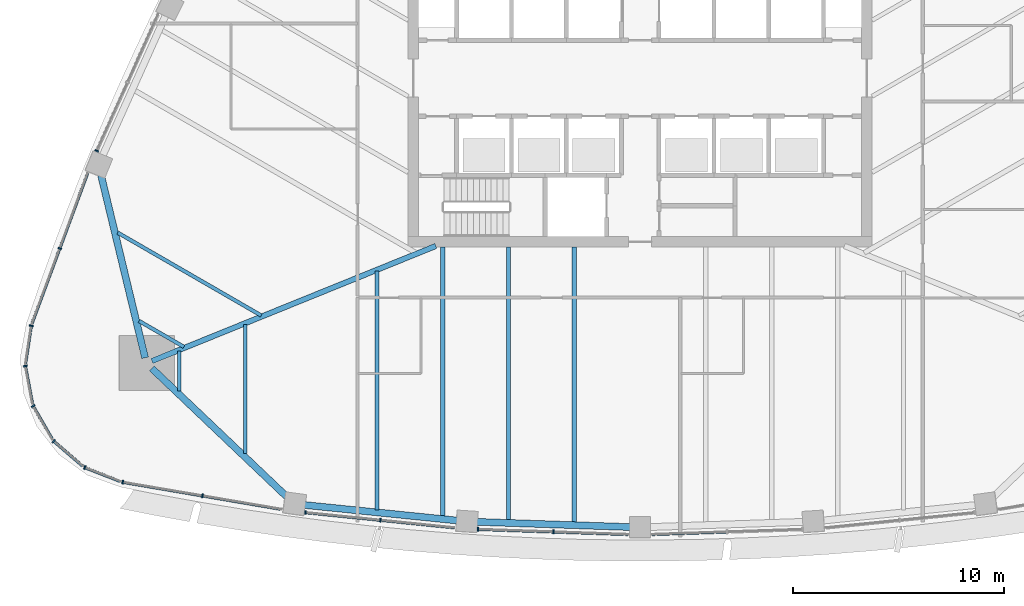
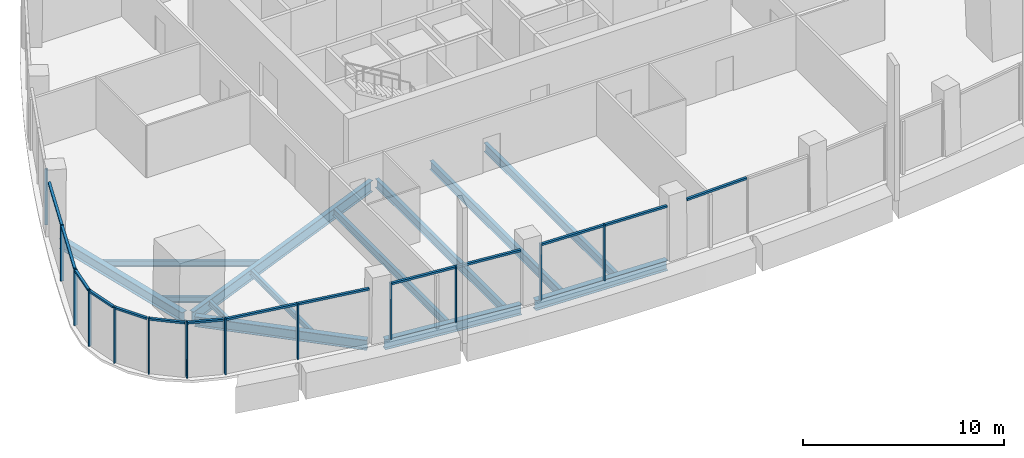
# One storey, part 2 of 19: 27 members, 13 beams, 11 elements without a shape of their own.
"""IFC4 building model written with IfcOpenShell, lengths in metres."""

from ifc_helpers import new_model, si_unit, direction, frame, origin, origin_2d, place, context, subcontext, project, spatial, rectangle, i_section, extrude, material, layer, layer_set, material_profile, profile_set, type_object, element, aggregate, save


model = new_model("IFC4")

# Units and contexts
model_context = context("Model", 3, precision=1e-05, world=origin(), true_north=direction((0.0, 1.0)))
body_context = subcontext(model_context, "Body", "Model", "MODEL_VIEW")
ifc_project = project(units=[si_unit("LENGTHUNIT", "METRE"), si_unit("AREAUNIT", "SQUARE_METRE"), si_unit("VOLUMEUNIT", "CUBIC_METRE"), si_unit("PLANEANGLEUNIT", "RADIAN"), si_unit("MASSUNIT", "GRAM", prefix="KILO")], contexts=[model_context])

# Site, building, storey
site_placement = place(None, origin())
site = spatial("IfcSite", under=ifc_project, at=site_placement, CompositionType="ELEMENT")
building_placement = place(site_placement, origin())
building = spatial("IfcBuilding", under=site, at=building_placement, Name="Sierra Prisma Convention Tower", CompositionType="ELEMENT")
storey_placement = place(building_placement, frame((0.0, 0.0, 185.800048828125)))
storey = spatial("IfcBuildingStorey", under=building, at=storey_placement, Name="L41", CompositionType="ELEMENT", Elevation=185.800048828125)

# Curtain wall, members
ifc_material_1 = material(Name="Aluminium and glass curtain wall", Category="aluminium")
ifc_layer = layer(ifc_material_1, 0.179931640625)
ifc_layer_set = layer_set([ifc_layer], Name="CW-1 Plain shaft curtain wall")
curtain_wall_type = type_object("IfcCurtainWallType", Name="CW-1 Plain shaft curtain wall", PredefinedType="NOTDEFINED", material=ifc_layer_set)
curtain_wall_1_placement = place(storey_placement, origin())
curtain_wall_1 = element("IfcCurtainWall", 1, at=curtain_wall_1_placement, inside=storey, type_object=curtain_wall_type, Name="CW-1 S1 L41", PredefinedType="NOTDEFINED")
ifc_material_2 = material(Name="Aluminium 6063-T6 bronze anodised", Category="aluminium")
ifc_material_profile_1 = material_profile(ifc_material_2, rectangle(XDim=0.179931640625, YDim=0.070068359375, at=origin_2d()), Name="ALU MULLION 70x180")
ifc_profile_set_1 = profile_set([ifc_material_profile_1], Name="Aluminium 6063-T6 bronze anodised")
member_type_1 = type_object("IfcMemberType", Name="CW mullion bronze", PredefinedType="MULLION", material=ifc_profile_set_1)
member_1_placement = place(storey_placement, frame((-24.535400390625, -19.154296875, 0.0), z_axis=(0.0, 0.0, 1.0), x_axis=(0.168312666002, 0.985733658989, 0.0)))
member_1 = element("IfcMember", 2, at=member_1_placement, type_object=member_type_1, Name="CW-1 mullion S1.1", PredefinedType="MULLION", context=body_context, shape_type="SweptSolid", body=[
    extrude(rectangle(XDim=0.179931640625, YDim=0.070068359375, at=origin_2d()), origin(), (0.0, 0.0, 1.0), 3.39990234375),
])
member_2_placement = place(storey_placement, frame((-20.752685546875, -19.800048828125, 0.0), z_axis=(0.0, 0.0, 1.0), x_axis=(0.168312666002, 0.985733658989, 0.0)))
member_2 = element("IfcMember", 3, at=member_2_placement, type_object=member_type_1, Name="CW-1 mullion S1.2", PredefinedType="MULLION", context=body_context, shape_type="SweptSolid", body=[
    extrude(rectangle(XDim=0.179931640625, YDim=0.070068359375, at=origin_2d()), origin(), (0.0, 0.0, 1.0), 3.39990234375),
])

curtain_wall_2_placement = place(storey_placement, origin())
curtain_wall_2 = element("IfcCurtainWall", 4, at=curtain_wall_2_placement, inside=storey, type_object=curtain_wall_type, Name="CW-1 S2 L41", PredefinedType="NOTDEFINED")
member_3_placement = place(storey_placement, frame((-15.865966796875, -20.5947265625, 0.0), z_axis=(0.0, 0.0, 1.0), x_axis=(0.101296559457, 0.994856274565, 0.0)))
member_3 = element("IfcMember", 5, at=member_3_placement, type_object=member_type_1, Name="CW-1 mullion S2.1", PredefinedType="MULLION", context=body_context, shape_type="SweptSolid", body=[
    extrude(rectangle(XDim=0.179931640625, YDim=0.070068359375, at=origin_2d()), origin(), (0.0, 0.0, 1.0), 3.39990234375),
])
member_4_placement = place(storey_placement, frame((-12.3193359375, -20.955810546875, 0.0), z_axis=(0.0, 0.0, 1.0), x_axis=(0.101296559457, 0.994856274565, 0.0)))
member_4 = element("IfcMember", 6, at=member_4_placement, type_object=member_type_1, Name="CW-1 mullion S2.2", PredefinedType="MULLION", context=body_context, shape_type="SweptSolid", body=[
    extrude(rectangle(XDim=0.179931640625, YDim=0.070068359375, at=origin_2d()), origin(), (0.0, 0.0, 1.0), 3.39990234375),
])

curtain_wall_3_placement = place(storey_placement, origin())
curtain_wall_3 = element("IfcCurtainWall", 7, at=curtain_wall_3_placement, inside=storey, type_object=curtain_wall_type, Name="CW-1 S3 L41", PredefinedType="NOTDEFINED")
member_5_placement = place(storey_placement, frame((-7.69287109375, -21.3896484375, 0.0), z_axis=(0.0, 0.0, 1.0), x_axis=(0.03381708389, 0.999428038849, 0.0)))
member_5 = element("IfcMember", 8, at=member_5_placement, type_object=member_type_1, Name="CW-1 mullion S3.1", PredefinedType="MULLION", context=body_context, shape_type="SweptSolid", body=[
    extrude(rectangle(XDim=0.179931640625, YDim=0.070068359375, at=origin_2d()), origin(), (0.0, 0.0, 1.0), 3.39990234375),
])
member_6_placement = place(storey_placement, frame((-4.11376953125, -21.5107421875, 0.0), z_axis=(0.0, 0.0, 1.0), x_axis=(0.03381708389, 0.999428038849, 0.0)))
member_6 = element("IfcMember", 9, at=member_6_placement, type_object=member_type_1, Name="CW-1 mullion S3.2", PredefinedType="MULLION", context=body_context, shape_type="SweptSolid", body=[
    extrude(rectangle(XDim=0.179931640625, YDim=0.070068359375, at=origin_2d()), origin(), (0.0, 0.0, 1.0), 3.39990234375),
])

# Curtain wall, member
curtain_wall_4_placement = place(storey_placement, origin())
curtain_wall_4 = element("IfcCurtainWall", 10, at=curtain_wall_4_placement, inside=storey, type_object=curtain_wall_type, Name="CW-1 NW5 L41", PredefinedType="NOTDEFINED")
member_7_placement = place(storey_placement, frame((-25.7685546875, -3.443115234375, 0.0), z_axis=(0.0, 0.0, 1.0), x_axis=(0.912219086617, -0.409702743477, 0.0)))
member_7 = element("IfcMember", 11, at=member_7_placement, type_object=member_type_1, Name="CW-1 mullion NW5.3", PredefinedType="MULLION", context=body_context, shape_type="SweptSolid", body=[
    extrude(rectangle(XDim=0.179931640625, YDim=0.070068359375, at=origin_2d()), origin(), (0.0, 0.0, 1.0), 3.39990234375),
])
aggregate(curtain_wall_4, [member_7])

curtain_wall_5_placement = place(storey_placement, origin())
curtain_wall_5 = element("IfcCurtainWall", 12, at=curtain_wall_5_placement, inside=storey, type_object=curtain_wall_type, Name="CW-1 NW6 L41", PredefinedType="NOTDEFINED")
member_8_placement = place(storey_placement, frame((-27.523681640625, -8.072265625, 0.0), z_axis=(0.0, 0.0, 1.0), x_axis=(0.937826723051, -0.347103784958, 0.0)))
member_8 = element("IfcMember", 13, at=member_8_placement, type_object=member_type_1, Name="CW-1 mullion NW6.2", PredefinedType="MULLION", context=body_context, shape_type="SweptSolid", body=[
    extrude(rectangle(XDim=0.179931640625, YDim=0.070068359375, at=origin_2d()), origin(), (0.0, 0.0, 1.0), 3.39990234375),
])

curtain_wall_6_placement = place(storey_placement, origin())
curtain_wall_6 = element("IfcCurtainWall", 14, at=curtain_wall_6_placement, inside=storey, type_object=curtain_wall_type, Name="CW-1 SW1 L41", PredefinedType="NOTDEFINED")
member_9_placement = place(storey_placement, frame((-28.873046875, -11.738525390625, 0.0), z_axis=(0.0, 0.0, 1.0), x_axis=(0.988499533685, -0.151223913134, 0.0)))
member_9 = element("IfcMember", 15, at=member_9_placement, type_object=member_type_1, Name="CW-1 mullion SW1.1", PredefinedType="MULLION", context=body_context, shape_type="SweptSolid", body=[
    extrude(rectangle(XDim=0.179931640625, YDim=0.070068359375, at=origin_2d()), origin(), (0.0, 0.0, 1.0), 3.39990234375),
])

curtain_wall_7_placement = place(storey_placement, origin())
curtain_wall_7 = element("IfcCurtainWall", 16, at=curtain_wall_7_placement, inside=storey, type_object=curtain_wall_type, Name="CW-1 SW2 L41", PredefinedType="NOTDEFINED")
member_10_placement = place(storey_placement, frame((-29.153564453125, -13.648681640625, 0.0), z_axis=(0.0, 0.0, 1.0), x_axis=(0.982770996817, 0.184827400069, 0.0)))
member_10 = element("IfcMember", 17, at=member_10_placement, type_object=member_type_1, Name="CW-1 mullion SW2.1", PredefinedType="MULLION", context=body_context, shape_type="SweptSolid", body=[
    extrude(rectangle(XDim=0.179931640625, YDim=0.070068359375, at=origin_2d()), origin(), (0.0, 0.0, 1.0), 3.39990234375),
])

curtain_wall_8_placement = place(storey_placement, origin())
curtain_wall_8 = element("IfcCurtainWall", 18, at=curtain_wall_8_placement, inside=storey, type_object=curtain_wall_type, Name="CW-1 SW3 L41", PredefinedType="NOTDEFINED")
member_11_placement = place(storey_placement, frame((-28.785400390625, -15.5439453125, 0.0), z_axis=(0.0, 0.0, 1.0), x_axis=(0.866025403784, 0.5, 0.0)))
member_11 = element("IfcMember", 19, at=member_11_placement, type_object=member_type_1, Name="CW-1 mullion SW3.1", PredefinedType="MULLION", context=body_context, shape_type="SweptSolid", body=[
    extrude(rectangle(XDim=0.179931640625, YDim=0.070068359375, at=origin_2d()), origin(), (0.0, 0.0, 1.0), 3.39990234375),
])

curtain_wall_9_placement = place(storey_placement, origin())
curtain_wall_9 = element("IfcCurtainWall", 20, at=curtain_wall_9_placement, inside=storey, type_object=curtain_wall_type, Name="CW-1 SW4 L41", PredefinedType="NOTDEFINED")
member_12_placement = place(storey_placement, frame((-27.81005859375, -17.2099609375, 0.0), z_axis=(0.0, 0.0, 1.0), x_axis=(0.651450722183, 0.758690949311, 0.0)))
member_12 = element("IfcMember", 21, at=member_12_placement, type_object=member_type_1, Name="CW-1 mullion SW4.1", PredefinedType="MULLION", context=body_context, shape_type="SweptSolid", body=[
    extrude(rectangle(XDim=0.179931640625, YDim=0.070068359375, at=origin_2d()), origin(), (0.0, 0.0, 1.0), 3.39990234375),
])

curtain_wall_10_placement = place(storey_placement, origin())
curtain_wall_10 = element("IfcCurtainWall", 22, at=curtain_wall_10_placement, inside=storey, type_object=curtain_wall_type, Name="CW-1 SW5 L41", PredefinedType="NOTDEFINED")
member_13_placement = place(storey_placement, frame((-26.337646484375, -18.458984375, 0.0), z_axis=(0.0, 0.0, 1.0), x_axis=(0.363286016409, 0.931677664368, 0.0)))
member_13 = element("IfcMember", 23, at=member_13_placement, type_object=member_type_1, Name="CW-1 mullion SW5.1", PredefinedType="MULLION", context=body_context, shape_type="SweptSolid", body=[
    extrude(rectangle(XDim=0.179931640625, YDim=0.070068359375, at=origin_2d()), origin(), (0.0, 0.0, 1.0), 3.39990234375),
])

# Member
ifc_material_3 = material(Name="Aluminium 6063-T6 bronze anodised", Category="aluminium")
ifc_material_profile_2 = material_profile(ifc_material_3, rectangle(XDim=0.139892578125, YDim=0.1201171875, at=origin_2d()), Name="ALU TRANSOM 120x140")
ifc_profile_set_2 = profile_set([ifc_material_profile_2], Name="Aluminium 6063-T6 bronze anodised")
member_type_2 = type_object("IfcMemberType", Name="CW transom bronze", PredefinedType="USERDEFINED", material=ifc_profile_set_2)
member_14_placement = place(storey_placement, frame((-24.500732421875, -19.16015625, 3.33984375), z_axis=(0.98573642551, -0.168296462892, 0.0), x_axis=(0.168296462892, 0.98573642551, 0.0)))
member_14 = element("IfcMember", 24, at=member_14_placement, type_object=member_type_2, Name="CW-1 transom S1.1", ObjectType="TRANSOM", PredefinedType="USERDEFINED", context=body_context, shape_type="SweptSolid", body=[
    extrude(rectangle(XDim=0.139892578125, YDim=0.1201171875, at=origin_2d()), origin(), (0.0, 0.0, 1.0), 3.767333984375),
])

member_15_placement = place(storey_placement, frame((-20.71826171875, -19.805908203125, 3.33984375), z_axis=(0.985727509537, -0.168348676688, 0.0), x_axis=(0.168348676688, 0.985727509537, 0.0)))
member_15 = element("IfcMember", 25, at=member_15_placement, type_object=member_type_2, Name="CW-1 transom S1.2", ObjectType="TRANSOM", PredefinedType="USERDEFINED", context=body_context, shape_type="SweptSolid", body=[
    extrude(rectangle(XDim=0.139892578125, YDim=0.1201171875, at=origin_2d()), origin(), (0.0, 0.0, 1.0), 3.767578125),
])

aggregate(curtain_wall_1, [member_1, member_2, member_14, member_15])

member_16_placement = place(storey_placement, frame((-15.831298828125, -20.59814453125, 3.33984375), z_axis=(0.994850828195, -0.101350035225, 0.0), x_axis=(0.101350035225, 0.994850828195, 0.0)))
member_16 = element("IfcMember", 26, at=member_16_placement, type_object=member_type_2, Name="CW-1 transom S2.1", ObjectType="TRANSOM", PredefinedType="USERDEFINED", context=body_context, shape_type="SweptSolid", body=[
    extrude(rectangle(XDim=0.139892578125, YDim=0.1201171875, at=origin_2d()), origin(), (0.0, 0.0, 1.0), 3.495361328125),
])

member_17_placement = place(storey_placement, frame((-12.284423828125, -20.95947265625, 3.33984375), z_axis=(0.994857868529, -0.101280903557, 0.0), x_axis=(0.101280903557, 0.994857868529, 0.0)))
member_17 = element("IfcMember", 27, at=member_17_placement, type_object=member_type_2, Name="CW-1 transom S2.2", ObjectType="TRANSOM", PredefinedType="USERDEFINED", context=body_context, shape_type="SweptSolid", body=[
    extrude(rectangle(XDim=0.139892578125, YDim=0.1201171875, at=origin_2d()), origin(), (0.0, 0.0, 1.0), 3.495361328125),
])

aggregate(curtain_wall_2, [member_3, member_4, member_16, member_17])

member_18_placement = place(storey_placement, frame((-7.657958984375, -21.390869140625, 3.33984375), z_axis=(0.999428816734, -0.033794086477, 0.0), x_axis=(0.033794086477, 0.999428816734, 0.0)))
member_18 = element("IfcMember", 28, at=member_18_placement, type_object=member_type_2, Name="CW-1 transom S3.1", ObjectType="TRANSOM", PredefinedType="USERDEFINED", context=body_context, shape_type="SweptSolid", body=[
    extrude(rectangle(XDim=0.139892578125, YDim=0.1201171875, at=origin_2d()), origin(), (0.0, 0.0, 1.0), 3.510986328125),
])

member_19_placement = place(storey_placement, frame((-4.078857421875, -21.511962890625, 3.33984375), z_axis=(0.999428896138, -0.033791738105, 0.0), x_axis=(0.033791738105, 0.999428896138, 0.0)))
member_19 = element("IfcMember", 29, at=member_19_placement, type_object=member_type_2, Name="CW-1 transom S3.2", ObjectType="TRANSOM", PredefinedType="USERDEFINED", context=body_context, shape_type="SweptSolid", body=[
    extrude(rectangle(XDim=0.139892578125, YDim=0.1201171875, at=origin_2d()), origin(), (0.0, 0.0, 1.0), 3.51123046875),
])

aggregate(curtain_wall_3, [member_5, member_6, member_18, member_19])

# Curtain wall, member
curtain_wall_11_placement = place(storey_placement, origin())
curtain_wall_11 = element("IfcCurtainWall", 30, at=curtain_wall_11_placement, inside=storey, type_object=curtain_wall_type, Name="CW-1 S4 L41", PredefinedType="NOTDEFINED")
member_20_placement = place(storey_placement, frame((0.569580078125, -21.630615234375, 3.33984375), z_axis=(0.999428896138, 0.033791738105, 0.0), x_axis=(-0.033791738105, 0.999428896138, 0.0)))
member_20 = element("IfcMember", 31, at=member_20_placement, type_object=member_type_2, Name="CW-1 transom S4.1", ObjectType="TRANSOM", PredefinedType="USERDEFINED", context=body_context, shape_type="SweptSolid", body=[
    extrude(rectangle(XDim=0.139892578125, YDim=0.1201171875, at=origin_2d()), origin(), (0.0, 0.0, 1.0), 3.51123046875),
])
aggregate(curtain_wall_11, [member_20])

# Member
member_21_placement = place(storey_placement, frame((-26.203857421875, -4.50634765625, 3.33984375), z_axis=(-0.34708640059, -0.937833157084, 0.0), x_axis=(0.937833157084, -0.34708640059, 0.0)))
member_21 = element("IfcMember", 32, at=member_21_placement, type_object=member_type_2, Name="CW-1 transom NW6.1", ObjectType="TRANSOM", PredefinedType="USERDEFINED", context=body_context, shape_type="SweptSolid", body=[
    extrude(rectangle(XDim=0.139892578125, YDim=0.1201171875, at=origin_2d()), origin(), (0.0, 0.0, 1.0), 3.767333984375),
])

member_22_placement = place(storey_placement, frame((-27.535888671875, -8.105224609375, 3.33984375), z_axis=(-0.347107495846, -0.937825349587, 0.0), x_axis=(0.937825349587, -0.347107495846, 0.0)))
member_22 = element("IfcMember", 33, at=member_22_placement, type_object=member_type_2, Name="CW-1 transom NW6.2", ObjectType="TRANSOM", PredefinedType="USERDEFINED", context=body_context, shape_type="SweptSolid", body=[
    extrude(rectangle(XDim=0.139892578125, YDim=0.1201171875, at=origin_2d()), origin(), (0.0, 0.0, 1.0), 3.76708984375),
])

aggregate(curtain_wall_5, [member_8, member_21, member_22])

member_23_placement = place(storey_placement, frame((-28.87841796875, -11.773193359375, 3.33984375), z_axis=(-0.151176970585, -0.98850671397, 0.0), x_axis=(0.98850671397, -0.151176970585, 0.0)))
member_23 = element("IfcMember", 34, at=member_23_placement, type_object=member_type_2, Name="CW-1 transom SW1.1", ObjectType="TRANSOM", PredefinedType="USERDEFINED", context=body_context, shape_type="SweptSolid", body=[
    extrude(rectangle(XDim=0.139892578125, YDim=0.1201171875, at=origin_2d()), origin(), (0.0, 0.0, 1.0), 1.79248046875),
])

aggregate(curtain_wall_6, [member_9, member_23])

member_24_placement = place(storey_placement, frame((-29.147216796875, -13.68310546875, 3.33984375), z_axis=(0.184814781449, -0.982773369886, 0.0), x_axis=(0.982773369886, 0.184814781449, 0.0)))
member_24 = element("IfcMember", 35, at=member_24_placement, type_object=member_type_2, Name="CW-1 transom SW2.1", ObjectType="TRANSOM", PredefinedType="USERDEFINED", context=body_context, shape_type="SweptSolid", body=[
    extrude(rectangle(XDim=0.139892578125, YDim=0.1201171875, at=origin_2d()), origin(), (0.0, 0.0, 1.0), 1.79248046875),
])

aggregate(curtain_wall_7, [member_10, member_24])

member_25_placement = place(storey_placement, frame((-28.767822265625, -15.57421875, 3.33984375), z_axis=(0.499962169188, -0.866047244312, 0.0), x_axis=(0.866047244312, 0.499962169188, 0.0)))
member_25 = element("IfcMember", 36, at=member_25_placement, type_object=member_type_2, Name="CW-1 transom SW3.1", ObjectType="TRANSOM", PredefinedType="USERDEFINED", context=body_context, shape_type="SweptSolid", body=[
    extrude(rectangle(XDim=0.139892578125, YDim=0.1201171875, at=origin_2d()), origin(), (0.0, 0.0, 1.0), 1.792724609375),
])

aggregate(curtain_wall_8, [member_11, member_25])

member_26_placement = place(storey_placement, frame((-27.783447265625, -17.23291015625, 3.33984375), z_axis=(0.758669805195, -0.651475346184, 0.0), x_axis=(0.651475346184, 0.758669805195, 0.0)))
member_26 = element("IfcMember", 37, at=member_26_placement, type_object=member_type_2, Name="CW-1 transom SW4.1", ObjectType="TRANSOM", PredefinedType="USERDEFINED", context=body_context, shape_type="SweptSolid", body=[
    extrude(rectangle(XDim=0.139892578125, YDim=0.1201171875, at=origin_2d()), origin(), (0.0, 0.0, 1.0), 1.79248046875),
])

aggregate(curtain_wall_9, [member_12, member_26])

member_27_placement = place(storey_placement, frame((-26.30517578125, -18.4716796875, 3.33984375), z_axis=(0.931700189919, -0.363228242437, 0.0), x_axis=(0.363228242437, 0.931700189919, 0.0)))
member_27 = element("IfcMember", 38, at=member_27_placement, type_object=member_type_2, Name="CW-1 transom SW5.1", ObjectType="TRANSOM", PredefinedType="USERDEFINED", context=body_context, shape_type="SweptSolid", body=[
    extrude(rectangle(XDim=0.139892578125, YDim=0.1201171875, at=origin_2d()), origin(), (0.0, 0.0, 1.0), 1.79248046875),
])

aggregate(curtain_wall_10, [member_13, member_27])

# Beams
ifc_material_4 = material(Name="Steel ASTM A992 Gr 50", Category="steel")
ifc_material_profile_3 = material_profile(ifc_material_4, i_section(OverallWidth=0.172119140625, OverallDepth=0.35791015625, WebThickness=0.0078125, FlangeThickness=0.01318359375, at=origin_2d()), Name="W360x57")
ifc_profile_set_3 = profile_set([ifc_material_profile_3], Name="Steel ASTM A992 Gr 50")
beam_type_1 = type_object("IfcBeamType", Name="Floor joist W360x57", PredefinedType="JOIST", material=ifc_profile_set_3)
beam_1_placement = place(storey_placement, frame((-21.85009765625, -14.826416015625, -0.3291015625), z_axis=(0.0, 1.0, 0.0), x_axis=(-1.0, 0.0, 0.0)))
element("IfcBeam", 39, at=beam_1_placement, inside=storey, type_object=beam_type_1, Name="Floor joist L41 S01", PredefinedType="JOIST", context=body_context, shape_type="SweptSolid", body=[
    extrude(i_section(OverallWidth=0.172119140625, OverallDepth=0.35791015625, WebThickness=0.0078125, FlangeThickness=0.01318359375, at=origin_2d()), origin(), (0.0, 0.0, 1.0), 1.887939453125),
])
beam_2_placement = place(storey_placement, frame((-18.728759765625, -17.795654296875, -0.3291015625), z_axis=(0.0, 1.0, 0.0), x_axis=(-1.0, 0.0, 0.0)))
element("IfcBeam", 40, at=beam_2_placement, inside=storey, type_object=beam_type_1, Name="Floor joist L41 S02", PredefinedType="JOIST", context=body_context, shape_type="SweptSolid", body=[
    extrude(i_section(OverallWidth=0.172119140625, OverallDepth=0.35791015625, WebThickness=0.0078125, FlangeThickness=0.01318359375, at=origin_2d()), origin(), (0.0, 0.0, 1.0), 6.1220703125),
])
beam_3_placement = place(storey_placement, frame((-24.77587890625, -7.32177734375, -0.3291015625), z_axis=(0.866032059375, -0.499988472001, 0.0), x_axis=(0.499988472001, 0.866032059375, 0.0)))
element("IfcBeam", 41, at=beam_3_placement, inside=storey, type_object=beam_type_1, Name="Floor joist L41 NW14", PredefinedType="JOIST", context=body_context, shape_type="SweptSolid", body=[
    extrude(i_section(OverallWidth=0.172119140625, OverallDepth=0.35791015625, WebThickness=0.0078125, FlangeThickness=0.01318359375, at=origin_2d()), origin(), (0.0, 0.0, 1.0), 7.864990234375),
])
beam_4_placement = place(storey_placement, frame((-23.76513671875, -11.509521484375, -0.3291015625), z_axis=(0.86603204091, -0.499988503985, 0.0), x_axis=(0.499988503985, 0.86603204091, 0.0)))
element("IfcBeam", 42, at=beam_4_placement, inside=storey, type_object=beam_type_1, Name="Floor joist L41 NW15", PredefinedType="JOIST", context=body_context, shape_type="SweptSolid", body=[
    extrude(i_section(OverallWidth=0.172119140625, OverallDepth=0.35791015625, WebThickness=0.0078125, FlangeThickness=0.01318359375, at=origin_2d()), origin(), (0.0, 0.0, 1.0), 2.46240234375),
])
ifc_material_5 = material(Name="Steel ASTM A992 Gr 50", Category="steel")
ifc_material_profile_4 = material_profile(ifc_material_5, i_section(OverallWidth=0.18994140625, OverallDepth=0.45703125, WebThickness=0.009033203125, FlangeThickness=0.014404296875, at=origin_2d()), Name="W460x74")
ifc_profile_set_4 = profile_set([ifc_material_profile_4], Name="Steel ASTM A992 Gr 50")
beam_type_2 = type_object("IfcBeamType", Name="Floor joist W460x74", PredefinedType="JOIST", material=ifc_profile_set_4)
beam_5_placement = place(storey_placement, frame((-12.48583984375, -20.473876953125, -0.378662109375), z_axis=(0.0, 1.0, 0.0), x_axis=(-1.0, 0.0, 0.0)))
element("IfcBeam", 43, at=beam_5_placement, inside=storey, type_object=beam_type_2, Name="Floor joist L41 S04", PredefinedType="JOIST", context=body_context, shape_type="SweptSolid", body=[
    extrude(i_section(OverallWidth=0.18994140625, OverallDepth=0.45703125, WebThickness=0.009033203125, FlangeThickness=0.014404296875, at=origin_2d()), origin(), (0.0, 0.0, 1.0), 11.33056640625),
])
ifc_material_6 = material(Name="Steel ASTM A992 Gr 50", Category="steel")
ifc_material_profile_5 = material_profile(ifc_material_6, i_section(OverallWidth=0.208984375, OverallDepth=0.532958984375, WebThickness=0.01025390625, FlangeThickness=0.015625, at=origin_2d()), Name="W530x92")
ifc_profile_set_5 = profile_set([ifc_material_profile_5], Name="Steel ASTM A992 Gr 50")
beam_type_3 = type_object("IfcBeamType", Name="Floor joist W530x92", PredefinedType="JOIST", material=ifc_profile_set_5)
beam_6_placement = place(storey_placement, frame((-9.3642578125, -20.791748046875, -0.41650390625), z_axis=(0.0, 1.0, 0.0), x_axis=(-1.0, 0.0, 0.0)))
element("IfcBeam", 44, at=beam_6_placement, inside=storey, type_object=beam_type_3, Name="Floor joist L41 S05", PredefinedType="JOIST", context=body_context, shape_type="SweptSolid", body=[
    extrude(i_section(OverallWidth=0.208984375, OverallDepth=0.532958984375, WebThickness=0.01025390625, FlangeThickness=0.015625, at=origin_2d()), origin(), (0.0, 0.0, 1.0), 12.791748046875),
])
beam_7_placement = place(storey_placement, frame((-6.242919921875, -20.97607421875, -0.41650390625), z_axis=(0.0, 1.0, 0.0), x_axis=(-1.0, 0.0, 0.0)))
element("IfcBeam", 45, at=beam_7_placement, inside=storey, type_object=beam_type_3, Name="Floor joist L41 S06", PredefinedType="JOIST", context=body_context, shape_type="SweptSolid", body=[
    extrude(i_section(OverallWidth=0.208984375, OverallDepth=0.532958984375, WebThickness=0.01025390625, FlangeThickness=0.015625, at=origin_2d()), origin(), (0.0, 0.0, 1.0), 12.97607421875),
])
beam_8_placement = place(storey_placement, frame((-3.121337890625, -21.081787109375, -0.41650390625), z_axis=(0.0, 1.0, 0.0), x_axis=(-1.0, 0.0, 0.0)))
element("IfcBeam", 46, at=beam_8_placement, inside=storey, type_object=beam_type_3, Name="Floor joist L41 S07", PredefinedType="JOIST", context=body_context, shape_type="SweptSolid", body=[
    extrude(i_section(OverallWidth=0.208984375, OverallDepth=0.532958984375, WebThickness=0.01025390625, FlangeThickness=0.015625, at=origin_2d()), origin(), (0.0, 0.0, 1.0), 13.081787109375),
])
ifc_material_7 = material(Name="Steel ASTM A992 Gr 50", Category="steel")
ifc_material_profile_6 = material_profile(ifc_material_7, i_section(OverallWidth=0.25390625, OverallDepth=0.68408203125, WebThickness=0.012451171875, FlangeThickness=0.018798828125, at=origin_2d()), Name="W690x140")
ifc_profile_set_6 = profile_set([ifc_material_profile_6], Name="Steel ASTM A992 Gr 50")
beam_type_4 = type_object("IfcBeamType", Name="Radial girder W690x140", PredefinedType="BEAM", material=ifc_profile_set_6)
beam_9_placement = place(storey_placement, frame((-23.15087890625, -13.410888671875, -0.491943359375), z_axis=(0.926777064375, 0.375611864759, 0.0), x_axis=(-0.375611864759, 0.926777064375, 0.0)))
element("IfcBeam", 47, at=beam_9_placement, inside=storey, type_object=beam_type_4, Name="Radial girder L41 SW", PredefinedType="BEAM", context=body_context, shape_type="SweptSolid", body=[
    extrude(i_section(OverallWidth=0.25390625, OverallDepth=0.68408203125, WebThickness=0.012451171875, FlangeThickness=0.018798828125, at=origin_2d()), origin(), (0.0, 0.0, 1.0), 14.52587890625),
])
ifc_material_8 = material(Name="Steel ASTM A992 Gr 50", Category="steel")
ifc_material_profile_7 = material_profile(ifc_material_8, i_section(OverallWidth=0.324951171875, OverallDepth=0.615966796875, WebThickness=0.013916015625, FlangeThickness=0.021484375, at=origin_2d()), Name="W610x174")
ifc_profile_set_7 = profile_set([ifc_material_profile_7], Name="Steel ASTM A992 Gr 50")
beam_type_5 = type_object("IfcBeamType", Name="Spandrel beam W610x174", PredefinedType="BEAM", material=ifc_profile_set_7)
beam_10_placement = place(storey_placement, frame((-23.15087890625, -13.763671875, -0.4580078125), z_axis=(0.7245870332, -0.689183307487, 0.0), x_axis=(0.689183307487, 0.7245870332, 0.0)))
element("IfcBeam", 48, at=beam_10_placement, inside=storey, type_object=beam_type_5, Name="Spandrel L41-01", PredefinedType="BEAM", context=body_context, shape_type="SweptSolid", body=[
    extrude(i_section(OverallWidth=0.324951171875, OverallDepth=0.615966796875, WebThickness=0.013916015625, FlangeThickness=0.021484375, at=origin_2d()), origin(), (0.0, 0.0, 1.0), 8.82666015625),
])
beam_11_placement = place(storey_placement, frame((-16.01708984375, -20.227783203125, -0.4580078125), z_axis=(0.994858057198, -0.101279050294, 0.0), x_axis=(0.101279050294, 0.994858057198, 0.0)))
element("IfcBeam", 49, at=beam_11_placement, inside=storey, type_object=beam_type_5, Name="Spandrel L41-02", PredefinedType="BEAM", context=body_context, shape_type="SweptSolid", body=[
    extrude(i_section(OverallWidth=0.324951171875, OverallDepth=0.615966796875, WebThickness=0.013916015625, FlangeThickness=0.021484375, at=origin_2d()), origin(), (0.0, 0.0, 1.0), 7.460693359375),
])
beam_12_placement = place(storey_placement, frame((-7.83642578125, -21.034912109375, -0.4580078125), z_axis=(0.999428479642, -0.033804054205, 0.0), x_axis=(0.033804054205, 0.999428479642, 0.0)))
element("IfcBeam", 50, at=beam_12_placement, inside=storey, type_object=beam_type_5, Name="Spandrel L41-03", PredefinedType="BEAM", context=body_context, shape_type="SweptSolid", body=[
    extrude(i_section(OverallWidth=0.324951171875, OverallDepth=0.615966796875, WebThickness=0.013916015625, FlangeThickness=0.021484375, at=origin_2d()), origin(), (0.0, 0.0, 1.0), 7.46044921875),
])
beam_13_placement = place(storey_placement, frame((-25.565673828125, -4.5869140625, -0.4580078125), z_axis=(0.234578984337, -0.97209706311, 0.0), x_axis=(0.97209706311, 0.234578984337, 0.0)))
element("IfcBeam", 51, at=beam_13_placement, inside=storey, type_object=beam_type_5, Name="Spandrel L41-18", PredefinedType="BEAM", context=body_context, shape_type="SweptSolid", body=[
    extrude(i_section(OverallWidth=0.324951171875, OverallDepth=0.615966796875, WebThickness=0.013916015625, FlangeThickness=0.021484375, at=origin_2d()), origin(), (0.0, 0.0, 1.0), 8.918212890625),
])

save(model, "model.ifc")
